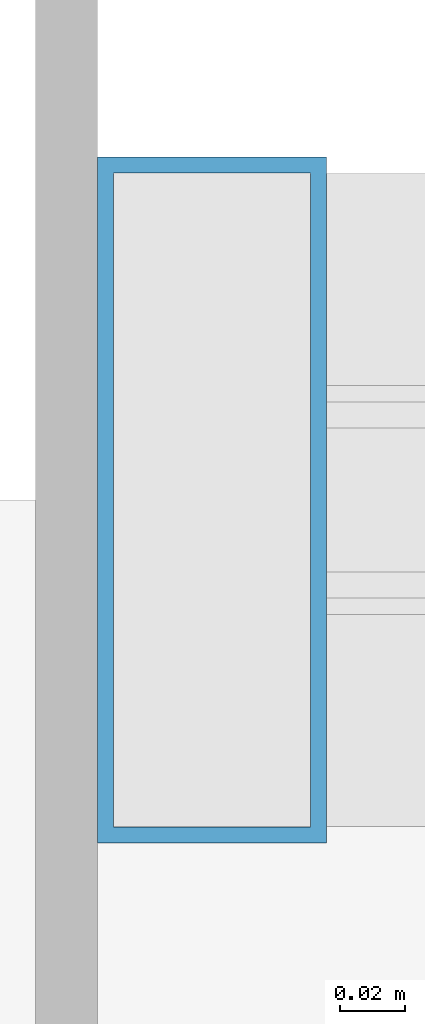
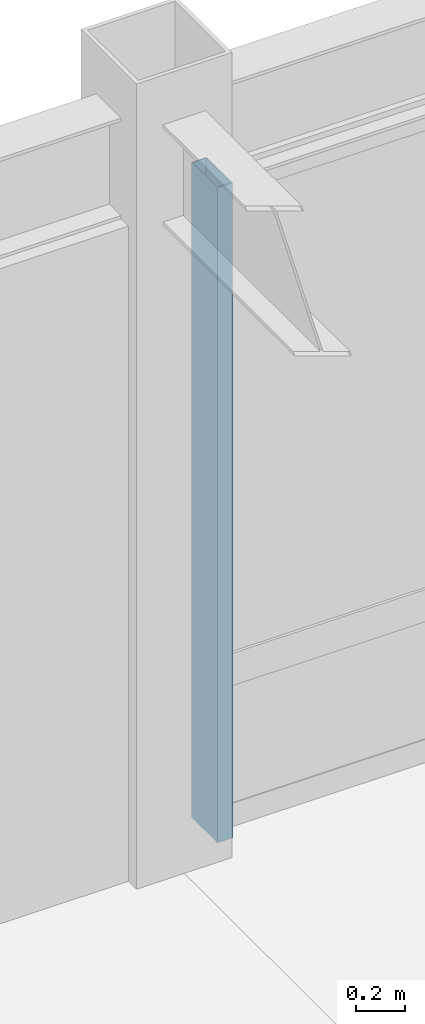
# One storey, part 67 of 122: 1 member, 1 element without a shape of its own.
"""IFC4 building model written with IfcOpenShell, lengths in metres."""

from ifc_helpers import new_model, si_unit, direction, frame, origin, origin_2d, place, context, subcontext, project, spatial, hollow_rectangle, extrude, material, material_profile, profile_set, type_object, element, aggregate, save


model = new_model("IFC4")

# Units and contexts
model_context = context("Model", 3, precision=1e-05, world=origin(), true_north=direction((0.0, 1.0)))
body_context = subcontext(model_context, "Body", "Model", "MODEL_VIEW")
ifc_project = project(units=[si_unit("LENGTHUNIT", "METRE"), si_unit("AREAUNIT", "SQUARE_METRE"), si_unit("VOLUMEUNIT", "CUBIC_METRE"), si_unit("PLANEANGLEUNIT", "RADIAN"), si_unit("MASSUNIT", "GRAM", prefix="KILO")], contexts=[model_context])

# Site, building, storey
site_placement = place(None, origin())
site = spatial("IfcSite", under=ifc_project, at=site_placement, CompositionType="ELEMENT")
building_placement = place(site_placement, origin())
building = spatial("IfcBuilding", under=site, at=building_placement, Name="Kazanami Central Library", CompositionType="ELEMENT")
storey_placement = place(building_placement, frame((0.0, 0.0, 4.800048828125)))
storey = spatial("IfcBuildingStorey", under=building, at=storey_placement, Name="L02", CompositionType="ELEMENT", Elevation=4.800048828125)

# Curtain wall, member
ifc_material_1 = material(Name="Acid-Etched Low-E Laminated Glass", Category="glass")
curtain_wall_type = type_object("IfcCurtainWallType", Name="CW-8550x3255-M275", PredefinedType="USERDEFINED", material=ifc_material_1)
curtain_wall_placement = place(storey_placement, origin())
curtain_wall = element("IfcCurtainWall", 1, at=curtain_wall_placement, inside=storey, type_object=curtain_wall_type, Name="Unitised Curtain Wall CW-19 L02 N-O-07", ObjectType="UNITISED CURTAIN WALL", PredefinedType="USERDEFINED")
ifc_material_2 = material(Name="Anodised Aluminium A6063-T5", Category="aluminium")
ifc_material_profile = material_profile(ifc_material_2, hollow_rectangle(XDim=0.070068359375, YDim=0.2099609375, WallThickness=0.0048828125, at=origin_2d()), Name="ALU-MULL-70x210x5")
ifc_profile_set = profile_set([ifc_material_profile], Name="Anodised Aluminium A6063-T5")
member_type = type_object("IfcMemberType", Name="MEM-CW-M1", PredefinedType="MULLION", material=ifc_profile_set)
member_placement = place(storey_placement, frame((63.260009765625, 93.60009765625, 0.0), z_axis=(0.0, 0.0, 1.0), x_axis=(-1.0, 0.0, 0.0)))
member = element("IfcMember", 2, at=member_placement, type_object=member_type, Name="CW-19 mullion 4", PredefinedType="MULLION", context=body_context, shape_type="SweptSolid", body=[
    extrude(hollow_rectangle(XDim=0.070068359375, YDim=0.2099609375, WallThickness=0.0048828125, at=origin_2d()), origin(), (0.0, 0.0, 1.0), 3.2548828125),
])
aggregate(curtain_wall, [member])

save(model, "model.ifc")
